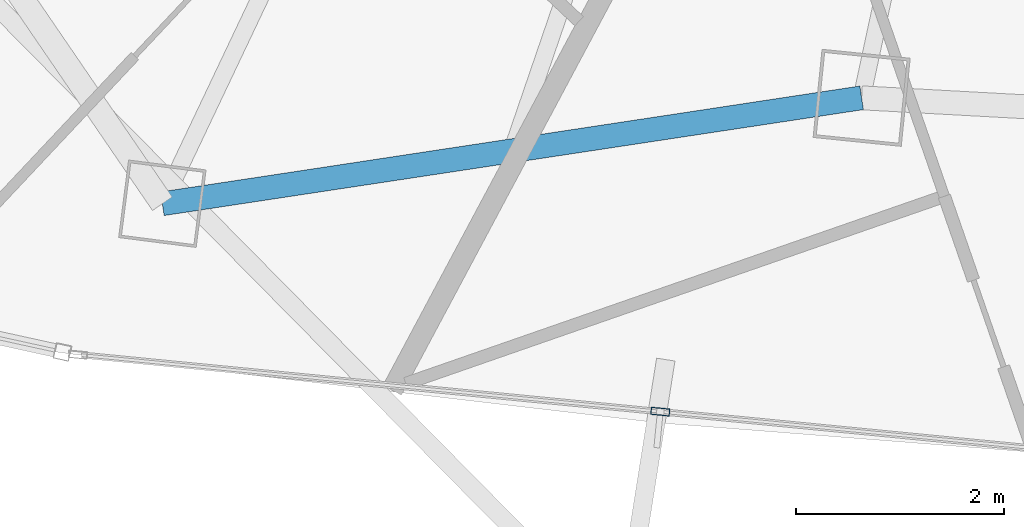
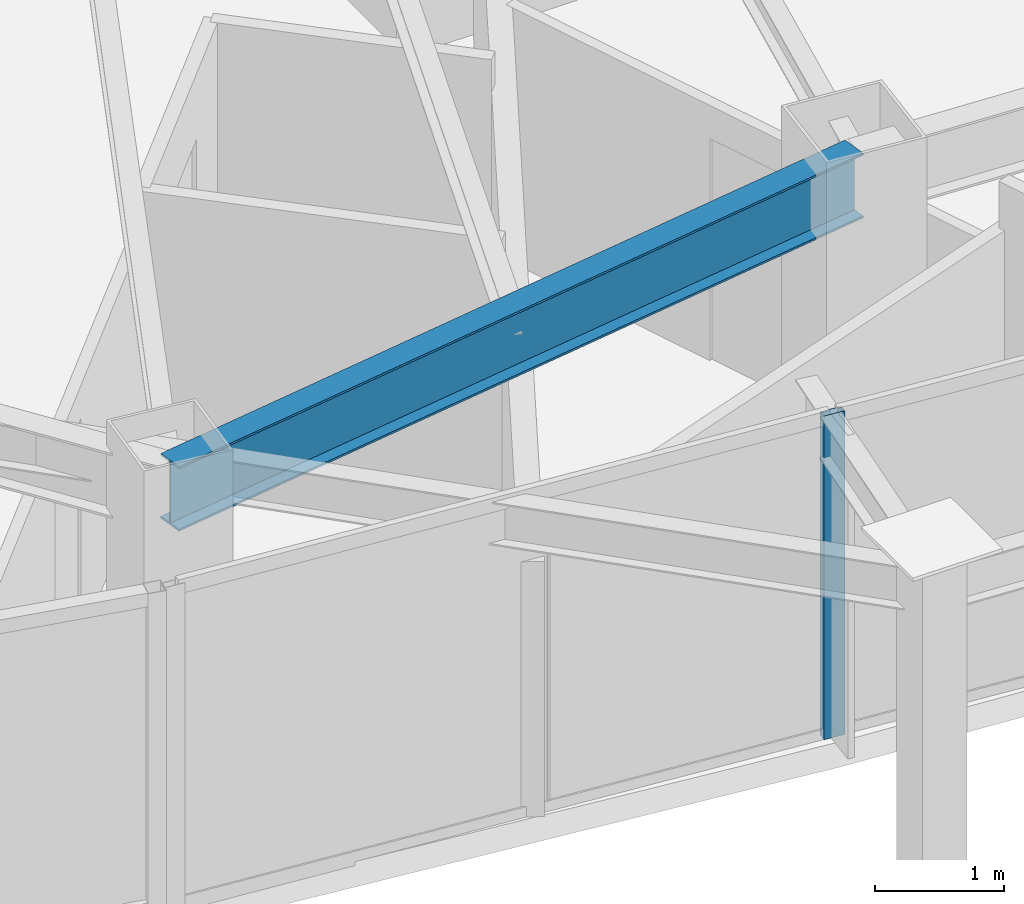
# One storey, part 4 of 29: 1 beam, 1 member, 1 element without a shape of its own.
"""IFC4 building model written with IfcOpenShell, lengths in metres."""

from ifc_helpers import new_model, si_unit, direction, frame, origin, origin_2d, place, context, subcontext, project, spatial, hollow_rectangle, i_section, extrude, material, layer, layer_set, material_profile, profile_set, type_object, element, aggregate, save


model = new_model("IFC4")

# Units and contexts
model_context = context("Model", 3, precision=1e-05, world=origin(), true_north=direction((0.0, 1.0)))
body_context = subcontext(model_context, "Body", "Model", "MODEL_VIEW")
ifc_project = project(units=[si_unit("LENGTHUNIT", "METRE"), si_unit("AREAUNIT", "SQUARE_METRE"), si_unit("VOLUMEUNIT", "CUBIC_METRE"), si_unit("PLANEANGLEUNIT", "RADIAN"), si_unit("MASSUNIT", "GRAM", prefix="KILO")], contexts=[model_context])

# Site, building, storey
site_placement = place(None, origin())
site = spatial("IfcSite", under=ifc_project, at=site_placement, CompositionType="ELEMENT")
building_placement = place(site_placement, origin())
building = spatial("IfcBuilding", under=site, at=building_placement, Name="Orvanel Arch Residences", CompositionType="ELEMENT")
storey_placement = place(building_placement, frame((0.0, 0.0, 167.14990234375)))
storey = spatial("IfcBuildingStorey", under=building, at=storey_placement, Name="L47", CompositionType="ELEMENT", Elevation=167.14990234375)

# Curtain wall, member
ifc_material_1 = material(Name="Bronze-anodised aluminium AA6063-T6", Category="aluminium")
ifc_layer = layer(ifc_material_1, 0.179931640625)
ifc_layer_set = layer_set([ifc_layer], Name="Bronze-anodised aluminium AA6063-T6")
curtain_wall_type = type_object("IfcCurtainWallType", Name="CW3-MID-SYS", PredefinedType="NOTDEFINED", material=ifc_layer_set)
curtain_wall_placement = place(storey_placement, origin())
curtain_wall = element("IfcCurtainWall", 1, at=curtain_wall_placement, inside=storey, type_object=curtain_wall_type, Name="L47 CW3-MID-SYS Unitised Curtain Wall", PredefinedType="NOTDEFINED")
ifc_material_profile_1 = material_profile(ifc_material_1, hollow_rectangle(XDim=0.070068359375, YDim=0.179931640625, WallThickness=0.00439453125, at=origin_2d()), Name="ALU180x70x4.5")
ifc_profile_set_1 = profile_set([ifc_material_profile_1], Name="Bronze-anodised aluminium AA6063-T6")
member_type = type_object("IfcMemberType", Name="MUL-180x70", PredefinedType="MULLION", material=ifc_profile_set_1)
member_placement = place(storey_placement, frame((21.717529296875, 4.344482421875, 0.0), z_axis=(0.0, 0.0, 1.0), x_axis=(0.097286031613, 0.995256463457, 0.0)))
member = element("IfcMember", 2, at=member_placement, type_object=member_type, Name="CW-S3 mullion 2", PredefinedType="MULLION", context=body_context, shape_type="SweptSolid", body=[
    extrude(hollow_rectangle(XDim=0.070068359375, YDim=0.179931640625, WallThickness=0.00439453125, at=origin_2d()), origin(), (0.0, 0.0, 1.0), 3.06005859375),
])
aggregate(curtain_wall, [member])

# Beam
ifc_material_2 = material(Name="Structural steel AS/NZS 3679.1 Grade 300 (300 MPa)", Category="steel")
ifc_material_profile_2 = material_profile(ifc_material_2, i_section(OverallWidth=0.22900390625, OverallDepth=0.612060546875, WebThickness=0.011962890625, FlangeThickness=0.01953125, at=origin_2d()), Name="610UB125")
ifc_profile_set_2 = profile_set([ifc_material_profile_2], Name="Structural steel AS/NZS 3679.1 Grade 300 (300 MPa)")
beam_type = type_object("IfcBeamType", Name="SP-610UB", PredefinedType="SPANDREL", material=ifc_profile_set_2)
beam_placement = place(storey_placement, frame((16.94091796875, 6.339111328125, 2.754150390625), z_axis=(0.988726323014, 0.149733958002, 0.0), x_axis=(-0.149733958002, 0.988726323014, 0.0)))
element("IfcBeam", 3, at=beam_placement, inside=storey, type_object=beam_type, Name="L47 Perimeter Spandrel Beam 04", PredefinedType="SPANDREL", context=body_context, shape_type="SweptSolid", body=[
    extrude(i_section(OverallWidth=0.22900390625, OverallDepth=0.612060546875, WebThickness=0.011962890625, FlangeThickness=0.01953125, at=origin_2d()), origin(), (0.0, 0.0, 1.0), 6.784423828125),
])

save(model, "model.ifc")
